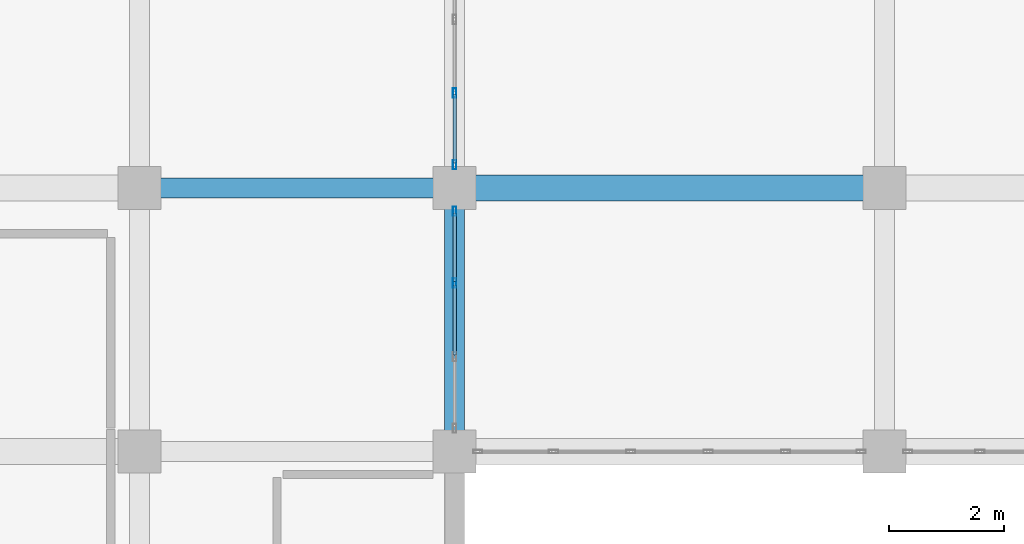
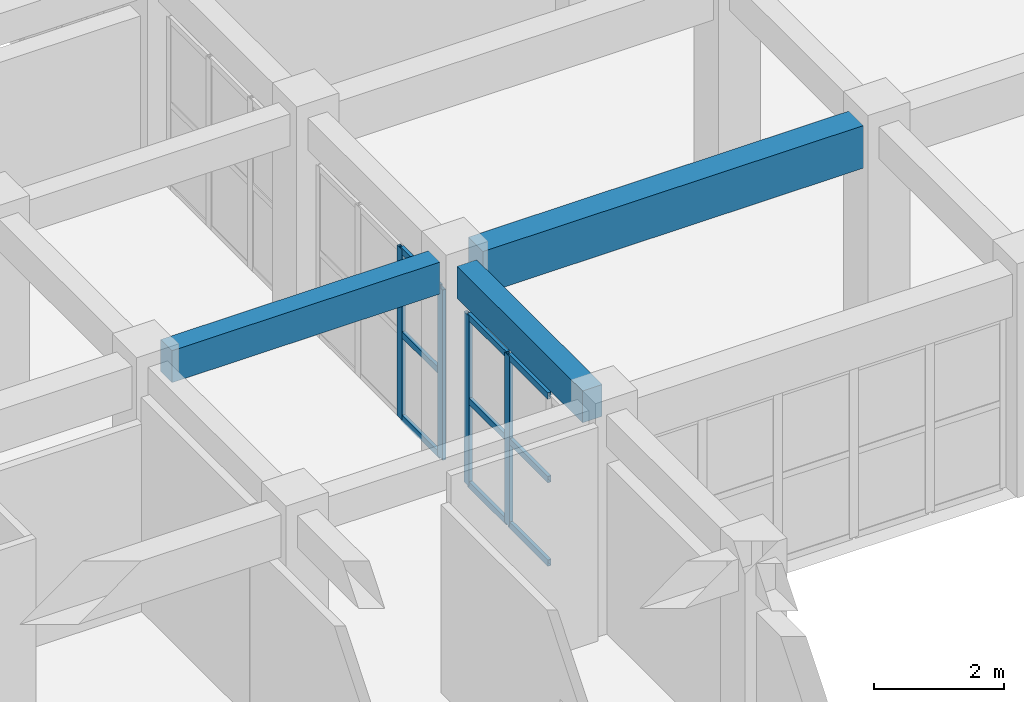
# One storey, part 26 of 116: 13 members, 3 beams, 2 elements without a shape of their own.
"""IFC4 building model written with IfcOpenShell, lengths in metres."""

from ifc_helpers import new_model, si_unit, direction, frame, origin, origin_2d, place, context, subcontext, project, spatial, rectangle, hollow_rectangle, extrude, material, layer, layer_set, material_profile, profile_set, type_object, element, aggregate, save


model = new_model("IFC4")

# Units and contexts
model_context = context("Model", 3, precision=1e-05, world=origin(), true_north=direction((0.0, 1.0)))
body_context = subcontext(model_context, "Body", "Model", "MODEL_VIEW")
ifc_project = project(units=[si_unit("LENGTHUNIT", "METRE"), si_unit("AREAUNIT", "SQUARE_METRE"), si_unit("VOLUMEUNIT", "CUBIC_METRE"), si_unit("PLANEANGLEUNIT", "RADIAN"), si_unit("MASSUNIT", "GRAM", prefix="KILO")], contexts=[model_context])

# Site, building, storey
site_placement = place(None, origin())
site = spatial("IfcSite", under=ifc_project, at=site_placement, CompositionType="ELEMENT")
building_placement = place(site_placement, origin())
building = spatial("IfcBuilding", under=site, at=building_placement, Name="Muzn Square Opera House", CompositionType="ELEMENT")
storey_placement = place(building_placement, frame((0.0, 0.0, 5.39990234375)))
storey = spatial("IfcBuildingStorey", under=building, at=storey_placement, Name="L01", CompositionType="ELEMENT", Elevation=5.39990234375)

# Curtain wall, members
ifc_material_1 = material(Name="Low-E laminated acoustic double glazing", Category="glass")
ifc_layer = layer(ifc_material_1, 0.159912109375, Name="Low-E laminated acoustic double glazing", Category="glass")
ifc_layer_set = layer_set([ifc_layer], Name="Low-E laminated acoustic double glazing")
curtain_wall_type = type_object("IfcCurtainWallType", Name="Glazed Curtain Wall WestCourt 3850x3200", PredefinedType="USERDEFINED", material=ifc_layer_set)
curtain_wall_1_placement = place(storey_placement, origin())
curtain_wall_1 = element("IfcCurtainWall", 1, at=curtain_wall_1_placement, inside=storey, type_object=curtain_wall_type, Name="Glazed Curtain Wall CW-L01-144", ObjectType="GLAZED CURTAIN WALL", PredefinedType="USERDEFINED")
ifc_material_2 = material(Name="Anodised bronze aluminium 6063-T6", Category="metal")
ifc_material_profile_1 = material_profile(ifc_material_2, hollow_rectangle(XDim=0.06005859375, YDim=0.159912109375, WallThickness=0.00390625, at=origin_2d()), Name="ALU 160x60x4", Category="metal")
ifc_profile_set_1 = profile_set([ifc_material_profile_1], Name="Anodised bronze aluminium 6063-T6")
member_type_1 = type_object("IfcMemberType", Name="Curtain Wall Mullion 160x60", PredefinedType="MULLION", material=ifc_profile_set_1)
member_1_placement = place(storey_placement, frame((19.0, 57.1416015625, 0.0), z_axis=(0.0, 0.0, 1.0), x_axis=(-1.0, 0.0, 0.0)))
member_1 = element("IfcMember", 2, at=member_1_placement, type_object=member_type_1, Name="CW-WCT-38x32 mullion 3", PredefinedType="MULLION", context=body_context, shape_type="SweptSolid", body=[
    extrude(hollow_rectangle(XDim=0.06005859375, YDim=0.159912109375, WallThickness=0.00390625, at=origin_2d()), origin(), (0.0, 0.0, 1.0), 3.2001953125),
])
member_2_placement = place(storey_placement, frame((19.0, 58.39501953125, 0.0), z_axis=(0.0, 0.0, 1.0), x_axis=(-1.0, 0.0, 0.0)))
member_2 = element("IfcMember", 3, at=member_2_placement, type_object=member_type_1, Name="CW-WCT-38x32 mullion 4", PredefinedType="MULLION", context=body_context, shape_type="SweptSolid", body=[
    extrude(hollow_rectangle(XDim=0.06005859375, YDim=0.159912109375, WallThickness=0.00390625, at=origin_2d()), origin(), (0.0, 0.0, 1.0), 3.2001953125),
])

curtain_wall_2_placement = place(storey_placement, origin())
curtain_wall_2 = element("IfcCurtainWall", 4, at=curtain_wall_2_placement, inside=storey, type_object=curtain_wall_type, Name="Glazed Curtain Wall CW-L01-145", ObjectType="GLAZED CURTAIN WALL", PredefinedType="USERDEFINED")
member_3_placement = place(storey_placement, frame((19.0, 59.205078125, 0.0), z_axis=(0.0, 0.0, 1.0), x_axis=(-1.0, 0.0, 0.0)))
member_3 = element("IfcMember", 5, at=member_3_placement, type_object=member_type_1, Name="CW-WCT-38x32 mullion 1", PredefinedType="MULLION", context=body_context, shape_type="SweptSolid", body=[
    extrude(hollow_rectangle(XDim=0.06005859375, YDim=0.159912109375, WallThickness=0.00390625, at=origin_2d()), origin(), (0.0, 0.0, 1.0), 3.2001953125),
])
member_4_placement = place(storey_placement, frame((19.0, 60.458251953125, 0.0), z_axis=(0.0, 0.0, 1.0), x_axis=(-1.0, 0.0, 0.0)))
member_4 = element("IfcMember", 6, at=member_4_placement, type_object=member_type_1, Name="CW-WCT-38x32 mullion 2", PredefinedType="MULLION", context=body_context, shape_type="SweptSolid", body=[
    extrude(hollow_rectangle(XDim=0.06005859375, YDim=0.159912109375, WallThickness=0.00390625, at=origin_2d()), origin(), (0.0, 0.0, 1.0), 3.2001953125),
])

# Member
ifc_material_profile_2 = material_profile(ifc_material_2, hollow_rectangle(XDim=0.06005859375, YDim=0.1201171875, WallThickness=0.00390625, at=origin_2d()), Name="ALU 120x60x4", Category="metal")
ifc_profile_set_2 = profile_set([ifc_material_profile_2], Name="Anodised bronze aluminium 6063-T6")
member_type_2 = type_object("IfcMemberType", Name="Curtain Wall Transom 120x60", PredefinedType="USERDEFINED", material=ifc_profile_set_2)
member_5_placement = place(storey_placement, frame((19.0, 55.888427734375, 0.030029296875), z_axis=(0.0, 1.0, 0.0), x_axis=(-1.0, 0.0, 0.0)))
member_5 = element("IfcMember", 7, at=member_5_placement, type_object=member_type_2, Name="CW-WCT-38x32 transom 2.1", ObjectType="TRANSOM", PredefinedType="USERDEFINED", context=body_context, shape_type="SweptSolid", body=[
    extrude(hollow_rectangle(XDim=0.06005859375, YDim=0.1201171875, WallThickness=0.00390625, at=origin_2d()), origin(), (0.0, 0.0, 1.0), 1.22314453125),
])

member_6_placement = place(storey_placement, frame((19.0, 55.888427734375, 1.60009765625), z_axis=(0.0, 1.0, 0.0), x_axis=(-1.0, 0.0, 0.0)))
member_6 = element("IfcMember", 8, at=member_6_placement, type_object=member_type_2, Name="CW-WCT-38x32 transom 2.2", ObjectType="TRANSOM", PredefinedType="USERDEFINED", context=body_context, shape_type="SweptSolid", body=[
    extrude(hollow_rectangle(XDim=0.06005859375, YDim=0.1201171875, WallThickness=0.00390625, at=origin_2d()), origin(), (0.0, 0.0, 1.0), 1.22314453125),
])

member_7_placement = place(storey_placement, frame((19.0, 55.888427734375, 3.170166015625), z_axis=(0.0, 1.0, 0.0), x_axis=(-1.0, 0.0, 0.0)))
member_7 = element("IfcMember", 9, at=member_7_placement, type_object=member_type_2, Name="CW-WCT-38x32 transom 2.3", ObjectType="TRANSOM", PredefinedType="USERDEFINED", context=body_context, shape_type="SweptSolid", body=[
    extrude(hollow_rectangle(XDim=0.06005859375, YDim=0.1201171875, WallThickness=0.00390625, at=origin_2d()), origin(), (0.0, 0.0, 1.0), 1.22314453125),
])

member_8_placement = place(storey_placement, frame((19.0, 57.171630859375, 0.030029296875), z_axis=(0.0, 1.0, 0.0), x_axis=(-1.0, 0.0, 0.0)))
member_8 = element("IfcMember", 10, at=member_8_placement, type_object=member_type_2, Name="CW-WCT-38x32 transom 3.1", ObjectType="TRANSOM", PredefinedType="USERDEFINED", context=body_context, shape_type="SweptSolid", body=[
    extrude(hollow_rectangle(XDim=0.06005859375, YDim=0.1201171875, WallThickness=0.00390625, at=origin_2d()), origin(), (0.0, 0.0, 1.0), 1.193359375),
])

member_9_placement = place(storey_placement, frame((19.0, 57.171630859375, 1.60009765625), z_axis=(0.0, 1.0, 0.0), x_axis=(-1.0, 0.0, 0.0)))
member_9 = element("IfcMember", 11, at=member_9_placement, type_object=member_type_2, Name="CW-WCT-38x32 transom 3.2", ObjectType="TRANSOM", PredefinedType="USERDEFINED", context=body_context, shape_type="SweptSolid", body=[
    extrude(hollow_rectangle(XDim=0.06005859375, YDim=0.1201171875, WallThickness=0.00390625, at=origin_2d()), origin(), (0.0, 0.0, 1.0), 1.193359375),
])

member_10_placement = place(storey_placement, frame((19.0, 57.171630859375, 3.170166015625), z_axis=(0.0, 1.0, 0.0), x_axis=(-1.0, 0.0, 0.0)))
member_10 = element("IfcMember", 12, at=member_10_placement, type_object=member_type_2, Name="CW-WCT-38x32 transom 3.3", ObjectType="TRANSOM", PredefinedType="USERDEFINED", context=body_context, shape_type="SweptSolid", body=[
    extrude(hollow_rectangle(XDim=0.06005859375, YDim=0.1201171875, WallThickness=0.00390625, at=origin_2d()), origin(), (0.0, 0.0, 1.0), 1.193359375),
])

aggregate(curtain_wall_1, [member_1, member_2, member_5, member_6, member_7, member_8, member_9, member_10])

member_11_placement = place(storey_placement, frame((19.0, 59.235107421875, 0.030029296875), z_axis=(0.0, 1.0, 0.0), x_axis=(-1.0, 0.0, 0.0)))
member_11 = element("IfcMember", 13, at=member_11_placement, type_object=member_type_2, Name="CW-WCT-38x32 transom 1.1", ObjectType="TRANSOM", PredefinedType="USERDEFINED", context=body_context, shape_type="SweptSolid", body=[
    extrude(hollow_rectangle(XDim=0.06005859375, YDim=0.1201171875, WallThickness=0.00390625, at=origin_2d()), origin(), (0.0, 0.0, 1.0), 1.193115234375),
])

member_12_placement = place(storey_placement, frame((19.0, 59.235107421875, 1.60009765625), z_axis=(0.0, 1.0, 0.0), x_axis=(-1.0, 0.0, 0.0)))
member_12 = element("IfcMember", 14, at=member_12_placement, type_object=member_type_2, Name="CW-WCT-38x32 transom 1.2", ObjectType="TRANSOM", PredefinedType="USERDEFINED", context=body_context, shape_type="SweptSolid", body=[
    extrude(hollow_rectangle(XDim=0.06005859375, YDim=0.1201171875, WallThickness=0.00390625, at=origin_2d()), origin(), (0.0, 0.0, 1.0), 1.193115234375),
])

member_13_placement = place(storey_placement, frame((19.0, 59.235107421875, 3.170166015625), z_axis=(0.0, 1.0, 0.0), x_axis=(-1.0, 0.0, 0.0)))
member_13 = element("IfcMember", 15, at=member_13_placement, type_object=member_type_2, Name="CW-WCT-38x32 transom 1.3", ObjectType="TRANSOM", PredefinedType="USERDEFINED", context=body_context, shape_type="SweptSolid", body=[
    extrude(hollow_rectangle(XDim=0.06005859375, YDim=0.1201171875, WallThickness=0.00390625, at=origin_2d()), origin(), (0.0, 0.0, 1.0), 1.193115234375),
])

aggregate(curtain_wall_2, [member_3, member_4, member_11, member_12, member_13])

# Beams
ifc_material_3 = material(Name="Concrete C40/50", Category="concrete")
ifc_material_profile_3 = material_profile(ifc_material_3, rectangle(XDim=0.35009765625, YDim=0.60009765625, at=origin_2d()), Name="RCB 350x600", Category="concrete")
ifc_profile_set_3 = profile_set([ifc_material_profile_3], Name="Concrete C40/50")
beam_type_1 = type_object("IfcBeamType", Name="Primary Girder 350x600", PredefinedType="BEAM", material=ifc_profile_set_3)
beam_1_placement = place(storey_placement, frame((13.866943359375, 58.800048828125, 3.85009765625), z_axis=(1.0, 0.0, 0.0), x_axis=(0.0, 1.0, 0.0)))
element("IfcBeam", 16, at=beam_1_placement, inside=storey, type_object=beam_type_1, Name="Primary Girder BM-L01-BM-PG600-139_588_186_588-1382", PredefinedType="BEAM", context=body_context, shape_type="SweptSolid", body=[
    extrude(rectangle(XDim=0.35009765625, YDim=0.60009765625, at=origin_2d()), origin(), (0.0, 0.0, 1.0), 4.76611328125),
])
beam_2_placement = place(storey_placement, frame((19.0, 54.56689453125, 3.820068359375), z_axis=(0.0, 1.0, 0.0), x_axis=(-1.0, 0.0, 0.0)))
element("IfcBeam", 17, at=beam_2_placement, inside=storey, type_object=beam_type_1, Name="Primary Girder BM-L01-BM-PG600-190_546_190_584-1563", PredefinedType="BEAM", context=body_context, shape_type="SweptSolid", body=[
    extrude(rectangle(XDim=0.35009765625, YDim=0.60009765625, at=origin_2d()), origin(), (0.0, 0.0, 1.0), 3.8662109375),
])
ifc_material_profile_4 = material_profile(ifc_material_3, rectangle(XDim=0.449951171875, YDim=0.800048828125, at=origin_2d()), Name="RCB 450x800", Category="concrete")
ifc_profile_set_4 = profile_set([ifc_material_profile_4], Name="Concrete C40/50")
beam_type_2 = type_object("IfcBeamType", Name="Primary Girder 450x800", PredefinedType="BEAM", material=ifc_profile_set_4)
beam_3_placement = place(storey_placement, frame((19.366943359375, 58.800048828125, 3.72021484375), z_axis=(1.0, 0.0, 0.0), x_axis=(0.0, 1.0, 0.0)))
element("IfcBeam", 18, at=beam_3_placement, inside=storey, type_object=beam_type_2, Name="Primary Girder BM-L01-BM-PG800-194_588_261_588-1383", PredefinedType="BEAM", context=body_context, shape_type="SweptSolid", body=[
    extrude(rectangle(XDim=0.449951171875, YDim=0.800048828125, at=origin_2d()), origin(), (0.0, 0.0, 1.0), 6.76611328125),
])

save(model, "model.ifc")
